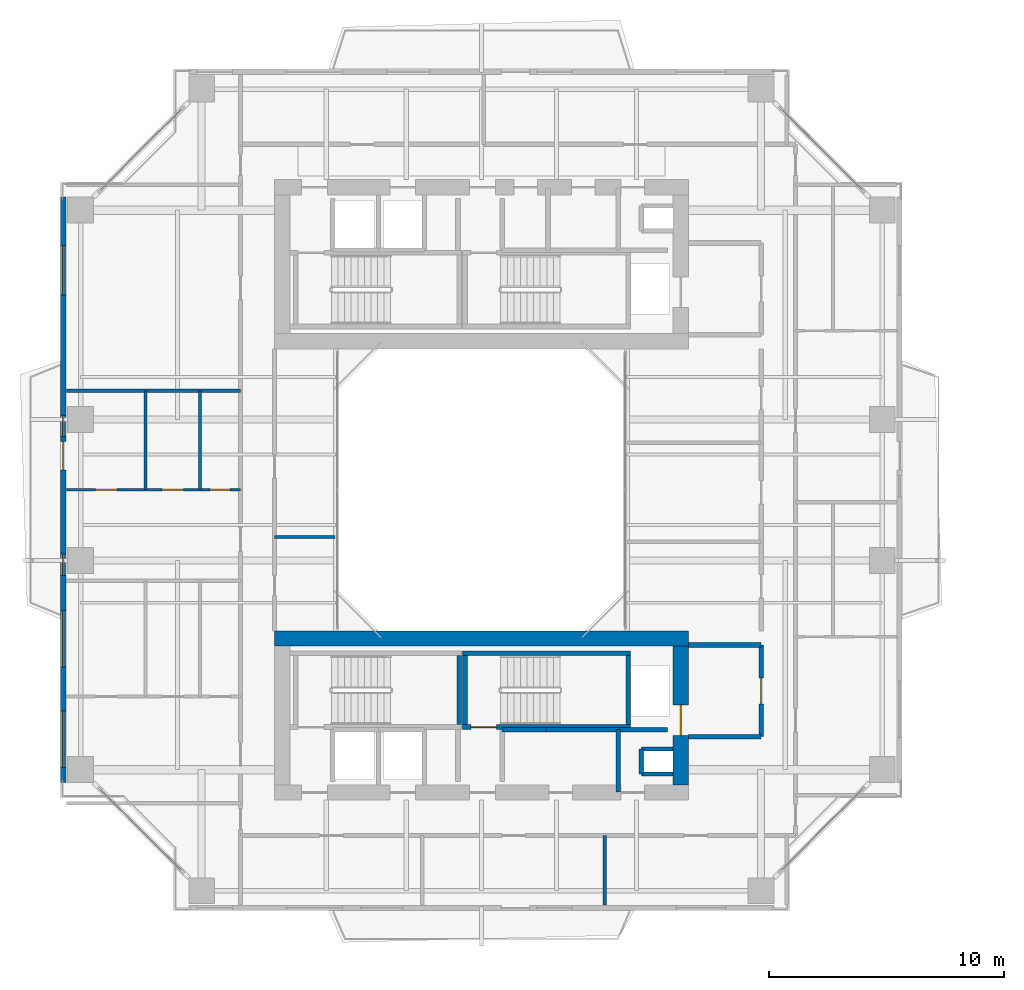
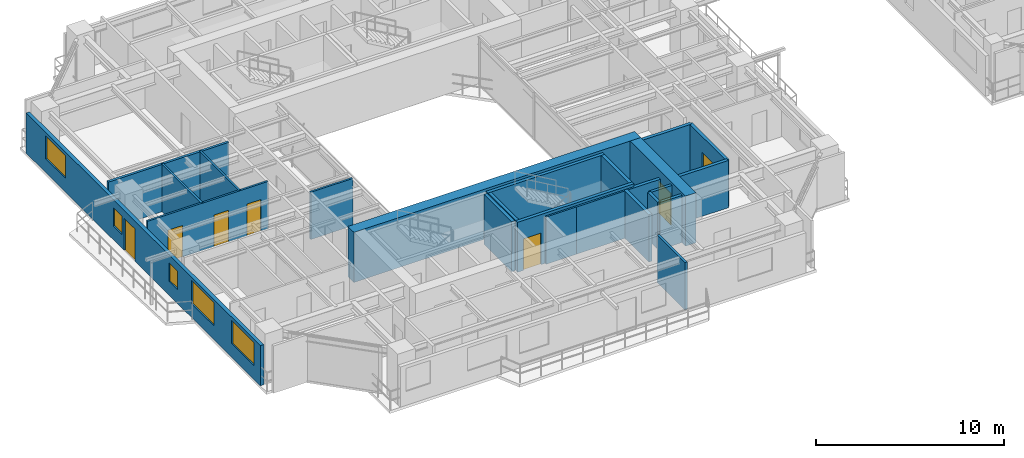
# One storey, part 15 of 24: 23 walls, 7 doors, 5 windows, 12 openings.
"""IFC4 building model written with IfcOpenShell, lengths in metres."""

from ifc_helpers import new_model, si_unit, direction, frame, frame_2d, origin, place, context, subcontext, project, spatial, rectangle, extrude, source, transform, mapped, material, layer, layer_set, type_object, element, fill, save


model = new_model("IFC4")

# Units and contexts
model_context = context("Model", 3, precision=1e-05, world=origin(), true_north=direction((0.0, 1.0)))
body_context = subcontext(model_context, "Body", "Model", "MODEL_VIEW")
ifc_project = project(units=[si_unit("LENGTHUNIT", "METRE"), si_unit("AREAUNIT", "SQUARE_METRE"), si_unit("VOLUMEUNIT", "CUBIC_METRE"), si_unit("PLANEANGLEUNIT", "RADIAN"), si_unit("MASSUNIT", "GRAM", prefix="KILO"), si_unit("THERMODYNAMICTEMPERATUREUNIT", "KELVIN"), si_unit("POWERUNIT", "WATT")], contexts=[model_context])

# Site, building, storey
site_placement = place(None, origin())
site = spatial("IfcSite", under=ifc_project, at=site_placement, CompositionType="ELEMENT")
building_placement = place(site_placement, origin())
building = spatial("IfcBuilding", under=site, at=building_placement, Name="Qiaomeng Ring Towers", CompositionType="ELEMENT")
storey_placement = place(building_placement, frame((0.0, 0.0, 106.75)))
storey = spatial("IfcBuildingStorey", under=building, at=storey_placement, Name="L30", CompositionType="ELEMENT", Elevation=106.75)

# Wall, openings, windows, door
ifc_material_1 = material(Name="Precast concrete C40", Category="concrete")
ifc_layer_1 = layer(ifc_material_1, 0.219970703125, Name="Precast concrete C40")
ifc_layer_set_1 = layer_set([ifc_layer_1], Name="Precast concrete C40")
wall_type_1 = type_object("IfcWallType", Name="ARC-WL-EW2", PredefinedType="STANDARD", material=ifc_layer_set_1)
wall_1_placement = place(storey_placement, frame((1.2099609375, 10.550048828125, 0.0), z_axis=(0.0, 0.0, 1.0), x_axis=(0.0, 1.0, 0.0)))
wall_1 = element("IfcWall", 1, at=wall_1_placement, inside=storey, type_object=wall_type_1, Name="L30 Tower 1 W Exterior Wall", PredefinedType="STANDARD", context=body_context, shape_type="SweptSolid", body=[
    extrude(rectangle(XDim=24.89990234375, YDim=0.219970703125, at=frame_2d((12.449951171875, 0.0))), origin(), (0.0, 0.0, 1.0), 2.610107421875),
])
opening_1_placement = place(wall_1_placement, frame((13.300048828125, 0.0, 0.0)))
opening_1 = element("IfcOpeningElement", 2, at=opening_1_placement, cuts=wall_1, Name="Opening BD1", PredefinedType="OPENING", context=body_context, shape_type="SweptSolid", body=[
    extrude(rectangle(XDim=1.199951171875, YDim=2.10009765625, at=frame_2d((0.60009765625, 1.050048828125))), frame((0.0, 0.119873046875, 0.0), z_axis=(0.0, -1.0, 0.0), x_axis=(1.0, 0.0, 0.0)), (0.0, 0.0, 1.0), 0.239990234375),
])
opening_2_placement = place(wall_1_placement, frame((0.64501953125, 0.0, 0.89990234375)))
opening_2 = element("IfcOpeningElement", 3, at=opening_2_placement, cuts=wall_1, Name="Opening WN6", PredefinedType="OPENING", context=body_context, shape_type="SweptSolid", body=[
    extrude(rectangle(XDim=2.39990234375, YDim=1.5, at=frame_2d((1.199951171875, 0.75))), frame((0.0, 0.119873046875, 0.0), z_axis=(0.0, -1.0, 0.0), x_axis=(1.0, 0.0, 0.0)), (0.0, 0.0, 1.0), 0.239990234375),
])
opening_3_placement = place(wall_1_placement, frame((20.737060546875, 0.0, 0.89990234375)))
opening_3 = element("IfcOpeningElement", 4, at=opening_3_placement, cuts=wall_1, Name="Opening WN4", PredefinedType="OPENING", context=body_context, shape_type="SweptSolid", body=[
    extrude(rectangle(XDim=2.10009765625, YDim=1.47998046875, at=frame_2d((1.050048828125, 0.739990234375))), frame((0.0, 0.119873046875, 0.0), z_axis=(0.0, -1.0, 0.0), x_axis=(1.0, 0.0, 0.0)), (0.0, 0.0, 1.0), 0.239990234375),
])
opening_4_placement = place(wall_1_placement, frame((4.91259765625, 0.0, 0.89990234375)))
opening_4 = element("IfcOpeningElement", 5, at=opening_4_placement, cuts=wall_1, Name="Opening WN6", PredefinedType="OPENING", context=body_context, shape_type="SweptSolid", body=[
    extrude(rectangle(XDim=2.39990234375, YDim=1.5, at=frame_2d((1.199951171875, 0.75))), frame((0.0, 0.119873046875, 0.0), z_axis=(0.0, -1.0, 0.0), x_axis=(1.0, 0.0, 0.0)), (0.0, 0.0, 1.0), 0.239990234375),
])
opening_5_placement = place(wall_1_placement, frame((14.719970703125, 0.0, 0.89990234375)))
opening_5 = element("IfcOpeningElement", 6, at=opening_5_placement, cuts=wall_1, Name="Opening WN5", PredefinedType="OPENING", context=body_context, shape_type="SweptSolid", body=[
    extrude(rectangle(XDim=0.89990234375, YDim=1.199951171875, at=frame_2d((0.449951171875, 0.60009765625))), frame((0.0, 0.119873046875, 0.0), z_axis=(0.0, -1.0, 0.0), x_axis=(1.0, 0.0, 0.0)), (0.0, 0.0, 1.0), 0.239990234375),
])
opening_6_placement = place(wall_1_placement, frame((8.81494140625, 0.0, 0.89990234375)))
opening_6 = element("IfcOpeningElement", 7, at=opening_6_placement, cuts=wall_1, Name="Opening WN5", PredefinedType="OPENING", context=body_context, shape_type="SweptSolid", body=[
    extrude(rectangle(XDim=0.89990234375, YDim=1.199951171875, at=frame_2d((0.449951171875, 0.60009765625))), frame((0.0, 0.119873046875, 0.0), z_axis=(0.0, -1.0, 0.0), x_axis=(1.0, 0.0, 0.0)), (0.0, 0.0, 1.0), 0.239990234375),
])
ifc_material_2 = material(Name="Low-E dark-grey laminated double glazing", Category="glass")
window_type_1 = type_object("IfcWindowType", Name="ARC-WN-4", PartitioningType="TRIPLE_PANEL_VERTICAL", PredefinedType="WINDOW", material=ifc_material_2)
shared_shape_1 = source(origin(), body_context, "Body", "SweptSolid", [
    extrude(rectangle(XDim=2.10009765625, YDim=1.47998046875, at=frame_2d((1.050048828125, 0.739990234375))), frame((0.0, 0.030029296875, 0.0), z_axis=(0.0, -1.0, 0.0), x_axis=(1.0, 0.0, 0.0)), (0.0, 0.0, 1.0), 0.06005859375),
])
window_1_placement = place(opening_3_placement, origin())
window_1 = element("IfcWindow", 8, at=window_1_placement, inside=storey, type_object=window_type_1, Name="L30 Exterior Window WN4", OverallHeight=1.47998046875, OverallWidth=2.10009765625, PartitioningType="TRIPLE_PANEL_VERTICAL", PredefinedType="WINDOW", context=body_context, shape_type="MappedRepresentation", body=[
    mapped(shared_shape_1, transform((0.0, 0.0, 0.0), x_axis=(1.0, 0.0, 0.0), y_axis=(0.0, 1.0, 0.0), z_axis=(0.0, 0.0, 1.0), scale=1.0)),
])
fill(opening_3, window_1)
door_type_1 = type_object("IfcDoorType", Name="ARC-DR-BD1", OperationType="NOTDEFINED", PredefinedType="DOOR", material=ifc_material_2)
shared_shape_2 = source(origin(), body_context, "Body", "SweptSolid", [
    extrude(rectangle(XDim=1.199951171875, YDim=2.10009765625, at=frame_2d((0.60009765625, 1.050048828125))), frame((0.0, 0.02490234375, 0.0), z_axis=(0.0, -1.0, 0.0), x_axis=(1.0, 0.0, 0.0)), (0.0, 0.0, 1.0), 0.050048828125),
])
door_1_placement = place(opening_1_placement, frame((1.199951171875, 0.0, 0.0), z_axis=(0.0, 0.0, 1.0), x_axis=(-1.0, 0.0, 0.0)))
door_1 = element("IfcDoor", 9, at=door_1_placement, inside=storey, type_object=door_type_1, Name="L30 W Balcony Glazed Door", OperationType="SINGLE_SWING_LEFT", OverallHeight=2.10009765625, OverallWidth=1.199951171875, PredefinedType="DOOR", context=body_context, shape_type="MappedRepresentation", body=[
    mapped(shared_shape_2, transform((0.0, 0.0, 0.0), x_axis=(1.0, 0.0, 0.0), y_axis=(0.0, 1.0, 0.0), z_axis=(0.0, 0.0, 1.0), scale=1.0)),
])
fill(opening_1, door_1)
window_type_2 = type_object("IfcWindowType", Name="ARC-WN-6", PartitioningType="TRIPLE_PANEL_VERTICAL", PredefinedType="WINDOW", material=ifc_material_2)
shared_shape_3 = source(origin(), body_context, "Body", "SweptSolid", [
    extrude(rectangle(XDim=2.39990234375, YDim=1.5, at=frame_2d((1.199951171875, 0.75))), frame((0.0, 0.030029296875, 0.0), z_axis=(0.0, -1.0, 0.0), x_axis=(1.0, 0.0, 0.0)), (0.0, 0.0, 1.0), 0.06005859375),
])
window_2_placement = place(opening_2_placement, origin())
window_2 = element("IfcWindow", 10, at=window_2_placement, inside=storey, type_object=window_type_2, Name="L30 Exterior Window WN6", OverallHeight=1.5, OverallWidth=2.39990234375, PartitioningType="TRIPLE_PANEL_VERTICAL", PredefinedType="WINDOW", context=body_context, shape_type="MappedRepresentation", body=[
    mapped(shared_shape_3, transform((0.0, 0.0, 0.0), x_axis=(1.0, 0.0, 0.0), y_axis=(0.0, 1.0, 0.0), z_axis=(0.0, 0.0, 1.0), scale=1.0)),
])
fill(opening_2, window_2)
window_3_placement = place(opening_4_placement, origin())
window_3 = element("IfcWindow", 11, at=window_3_placement, inside=storey, type_object=window_type_2, Name="L30 Exterior Window WN6", OverallHeight=1.5, OverallWidth=2.39990234375, PartitioningType="TRIPLE_PANEL_VERTICAL", PredefinedType="WINDOW", context=body_context, shape_type="MappedRepresentation", body=[
    mapped(shared_shape_3, transform((0.0, 0.0, 0.0), x_axis=(1.0, 0.0, 0.0), y_axis=(0.0, 1.0, 0.0), z_axis=(0.0, 0.0, 1.0), scale=1.0)),
])
fill(opening_4, window_3)
window_type_3 = type_object("IfcWindowType", Name="ARC-WN-5", PartitioningType="SINGLE_PANEL", PredefinedType="WINDOW", material=ifc_material_2)
shared_shape_4 = source(origin(), body_context, "Body", "SweptSolid", [
    extrude(rectangle(XDim=0.89990234375, YDim=1.199951171875, at=frame_2d((0.449951171875, 0.60009765625))), frame((0.0, 0.030029296875, 0.0), z_axis=(0.0, -1.0, 0.0), x_axis=(1.0, 0.0, 0.0)), (0.0, 0.0, 1.0), 0.06005859375),
])
window_4_placement = place(opening_5_placement, origin())
window_4 = element("IfcWindow", 12, at=window_4_placement, inside=storey, type_object=window_type_3, Name="L30 Exterior Window WN5", OverallHeight=1.199951171875, OverallWidth=0.89990234375, PartitioningType="SINGLE_PANEL", PredefinedType="WINDOW", context=body_context, shape_type="MappedRepresentation", body=[
    mapped(shared_shape_4, transform((0.0, 0.0, 0.0), x_axis=(1.0, 0.0, 0.0), y_axis=(0.0, 1.0, 0.0), z_axis=(0.0, 0.0, 1.0), scale=1.0)),
])
fill(opening_5, window_4)
window_5_placement = place(opening_6_placement, origin())
window_5 = element("IfcWindow", 13, at=window_5_placement, inside=storey, type_object=window_type_3, Name="L30 Exterior Window WN5", OverallHeight=1.199951171875, OverallWidth=0.89990234375, PartitioningType="SINGLE_PANEL", PredefinedType="WINDOW", context=body_context, shape_type="MappedRepresentation", body=[
    mapped(shared_shape_4, transform((0.0, 0.0, 0.0), x_axis=(1.0, 0.0, 0.0), y_axis=(0.0, 1.0, 0.0), z_axis=(0.0, 0.0, 1.0), scale=1.0)),
])
fill(opening_6, window_5)

# Walls
ifc_material_3 = material(Name="Autoclaved aerated concrete block", Category="concrete")
ifc_layer_2 = layer(ifc_material_3, 0.199951171875, Name="Autoclaved aerated concrete block")
ifc_layer_set_2 = layer_set([ifc_layer_2], Name="Autoclaved aerated concrete block")
wall_type_2 = type_object("IfcWallType", Name="ARC-WL-PW1", PredefinedType="PARTITIONING", material=ifc_layer_set_2)
for number, where, z_axis, x_axis, name in (
    (14, (27.800048828125, 16.39990234375, 0.0), (0.0, 0.0, 1.0), (1.0, 0.0, 0.0), "L30 Interior Wall PW1"),
    (15, (27.800048828125, 12.5, 0.0), (0.0, 0.0, 1.0), (1.0, 0.0, 0.0), "L30 Interior Wall PW1"),
):
    element("IfcWall", number, at=place(storey_placement, frame(where, z_axis=z_axis, x_axis=x_axis)), inside=storey, type_object=wall_type_2, Name=name, PredefinedType="PARTITIONING", context=body_context, shape_type="SweptSolid", body=[
        extrude(rectangle(XDim=3.099853515625, YDim=0.199951171875, at=frame_2d((1.5498046875, 0.0))), origin(), (0.0, 0.0, 1.0), 3.070068359375),
    ])

# Wall, opening, door
wall_2_placement = place(storey_placement, frame((30.89990234375, 12.5, 0.0), z_axis=(0.0, 0.0, 1.0), x_axis=(0.0, 1.0, 0.0)))
wall_2 = element("IfcWall", 16, at=wall_2_placement, inside=storey, type_object=wall_type_2, Name="L30 Interior Wall PW1", PredefinedType="PARTITIONING", context=body_context, shape_type="SweptSolid", body=[
    extrude(rectangle(XDim=3.89990234375, YDim=0.199951171875, at=frame_2d((1.949951171875, 0.0))), origin(), (0.0, 0.0, 1.0), 3.070068359375),
])
opening_7_placement = place(wall_2_placement, frame((1.39990234375, 0.0, 0.0)))
opening_7 = element("IfcOpeningElement", 17, at=opening_7_placement, cuts=wall_2, Name="Opening FD3", PredefinedType="OPENING", context=body_context, shape_type="SweptSolid", body=[
    extrude(rectangle(XDim=1.10009765625, YDim=2.050048828125, at=frame_2d((0.550048828125, 1.02490234375))), frame((0.0, 0.10986328125, 0.0), z_axis=(0.0, -1.0, 0.0), x_axis=(1.0, 0.0, 0.0)), (0.0, 0.0, 1.0), 0.219970703125),
])
ifc_material_4 = material(Name="Galvanised steel", Category="steel")
door_type_2 = type_object("IfcDoorType", Name="ARC-DR-FD3", OperationType="NOTDEFINED", PredefinedType="DOOR", material=ifc_material_4)
shared_shape_5 = source(origin(), body_context, "Body", "SweptSolid", [
    extrude(rectangle(XDim=1.10009765625, YDim=2.050048828125, at=frame_2d((0.550048828125, 1.02490234375))), frame((0.0, 0.02490234375, 0.0), z_axis=(0.0, -1.0, 0.0), x_axis=(1.0, 0.0, 0.0)), (0.0, 0.0, 1.0), 0.050048828125),
])
door_2_placement = place(opening_7_placement, origin())
door_2 = element("IfcDoor", 18, at=door_2_placement, inside=storey, type_object=door_type_2, Name="L30 South FF Lobby Door", OperationType="SINGLE_SWING_RIGHT", OverallHeight=2.050048828125, OverallWidth=1.10009765625, PredefinedType="DOOR", context=body_context, shape_type="MappedRepresentation", body=[
    mapped(shared_shape_5, transform((0.0, 0.0, 0.0), x_axis=(1.0, 0.0, 0.0), y_axis=(0.0, 1.0, 0.0), z_axis=(0.0, 0.0, 1.0), scale=1.0)),
])
fill(opening_7, door_2)

# Walls
wall_3_placement = place(storey_placement, frame((24.820068359375, 10.14990234375, 0.0), z_axis=(0.0, 0.0, 1.0), x_axis=(0.0, 1.0, 0.0)))
element("IfcWall", 19, at=wall_3_placement, inside=storey, type_object=wall_type_2, Name="L30 Interior Wall PW1", PredefinedType="PARTITIONING", context=body_context, shape_type="SweptSolid", body=[
    extrude(rectangle(XDim=2.650146484375, YDim=0.199951171875, at=frame_2d((1.3251953125, 0.0))), origin(), (0.0, 0.0, 1.0), 3.070068359375),
])
wall_4_placement = place(storey_placement, frame((19.8798828125, 12.800048828125, 0.0), z_axis=(0.0, 0.0, 1.0), x_axis=(1.0, 0.0, 0.0)))
element("IfcWall", 20, at=wall_4_placement, inside=storey, type_object=wall_type_2, Name="L30 Interior Wall PW1", PredefinedType="PARTITIONING", context=body_context, shape_type="SweptSolid", body=[
    extrude(rectangle(XDim=1.8701171875, YDim=0.199951171875, at=frame_2d((0.93505859375, 0.0))), origin(), (0.0, 0.0, 1.0), 3.070068359375),
])
wall_5_placement = place(storey_placement, frame((21.75, 12.800048828125, 0.0), z_axis=(0.0, 0.0, 1.0), x_axis=(1.0, 0.0, 0.0)))
element("IfcWall", 21, at=wall_5_placement, inside=storey, type_object=wall_type_2, Name="L30 Interior Wall PW1", PredefinedType="PARTITIONING", context=body_context, shape_type="SweptSolid", body=[
    extrude(rectangle(XDim=5.169921875, YDim=0.199951171875, at=frame_2d((2.5849609375, 0.0))), origin(), (0.0, 0.0, 1.0), 3.070068359375),
])
ifc_material_5 = material(Name="Gypsum fireboard steel-stud partition", Category="steel")
ifc_layer_3 = layer(ifc_material_5, 0.14990234375, Name="Gypsum fireboard steel-stud partition")
ifc_layer_set_3 = layer_set([ifc_layer_3], Name="Gypsum fireboard steel-stud partition")
wall_type_3 = type_object("IfcWallType", Name="ARC-WL-PW3", PredefinedType="PARTITIONING", material=ifc_layer_set_3)
wall_6_placement = place(storey_placement, frame((24.239990234375, 5.35009765625, 0.0), z_axis=(0.0, 0.0, 1.0), x_axis=(0.0, 1.0, 0.0)))
element("IfcWall", 22, at=wall_6_placement, inside=storey, type_object=wall_type_3, Name="L30 Interior Wall PW3", PredefinedType="PARTITIONING", context=body_context, shape_type="SweptSolid", body=[
    extrude(rectangle(XDim=2.949951171875, YDim=0.14990234375, at=frame_2d((1.47509765625, 0.0))), origin(), (0.0, 0.0, 1.0), 3.070068359375),
])
wall_7_placement = place(storey_placement, frame((1.35009765625, 27.2099609375, 0.0), z_axis=(0.0, 0.0, 1.0), x_axis=(1.0, 0.0, 0.0)))
element("IfcWall", 23, at=wall_7_placement, inside=storey, type_object=wall_type_3, Name="L30 Interior Wall PW3", PredefinedType="PARTITIONING", context=body_context, shape_type="SweptSolid", body=[
    extrude(rectangle(XDim=7.39990234375, YDim=0.14990234375, at=frame_2d((3.699951171875, 0.0))), origin(), (0.0, 0.0, 1.0), 3.070068359375),
])

# Wall, openings, doors
ifc_material_6 = material(Name="Moisture-resistant gypsum steel-stud partition", Category="steel")
ifc_layer_4 = layer(ifc_material_6, 0.1201171875, Name="Moisture-resistant gypsum steel-stud partition")
ifc_layer_set_4 = layer_set([ifc_layer_4], Name="Moisture-resistant gypsum steel-stud partition")
wall_type_4 = type_object("IfcWallType", Name="ARC-WL-PW4", PredefinedType="PLUMBINGWALL", material=ifc_layer_set_4)
wall_8_placement = place(storey_placement, frame((1.35009765625, 23.010009765625, 0.0), z_axis=(0.0, 0.0, 1.0), x_axis=(1.0, 0.0, 0.0)))
wall_8 = element("IfcWall", 24, at=wall_8_placement, inside=storey, type_object=wall_type_4, Name="L30 Interior Wall PW4", PredefinedType="PLUMBINGWALL", context=body_context, shape_type="SweptSolid", body=[
    extrude(rectangle(XDim=7.39990234375, YDim=0.1201171875, at=frame_2d((3.699951171875, 0.0))), origin(), (0.0, 0.0, 1.0), 3.070068359375),
])
opening_8_placement = place(wall_8_placement, frame((1.239990234375, 0.0, 0.0)))
opening_8 = element("IfcOpeningElement", 25, at=opening_8_placement, cuts=wall_8, Name="Opening ID1", PredefinedType="OPENING", context=body_context, shape_type="SweptSolid", body=[
    extrude(rectangle(XDim=0.89990234375, YDim=2.050048828125, at=frame_2d((0.449951171875, 1.02490234375))), frame((0.0, 0.070068359375, 0.0), z_axis=(0.0, -1.0, 0.0), x_axis=(1.0, 0.0, 0.0)), (0.0, 0.0, 1.0), 0.14013671875),
])
opening_9_placement = place(wall_8_placement, frame((4.070068359375, 0.0, 0.0)))
opening_9 = element("IfcOpeningElement", 26, at=opening_9_placement, cuts=wall_8, Name="Opening ID1", PredefinedType="OPENING", context=body_context, shape_type="SweptSolid", body=[
    extrude(rectangle(XDim=0.89990234375, YDim=2.050048828125, at=frame_2d((0.449951171875, 1.02490234375))), frame((0.0, 0.070068359375, 0.0), z_axis=(0.0, -1.0, 0.0), x_axis=(1.0, 0.0, 0.0)), (0.0, 0.0, 1.0), 0.14013671875),
])
opening_10_placement = place(wall_8_placement, frame((6.10498046875, 0.0, 0.0)))
opening_10 = element("IfcOpeningElement", 27, at=opening_10_placement, cuts=wall_8, Name="Opening ID2", PredefinedType="OPENING", context=body_context, shape_type="SweptSolid", body=[
    extrude(rectangle(XDim=0.85009765625, YDim=2.050048828125, at=frame_2d((0.425048828125, 1.02490234375))), frame((0.0, 0.070068359375, 0.0), z_axis=(0.0, -1.0, 0.0), x_axis=(1.0, 0.0, 0.0)), (0.0, 0.0, 1.0), 0.14013671875),
])
ifc_material_7 = material(Name="Moisture-resistant engineered timber", Category="wood")
door_type_3 = type_object("IfcDoorType", Name="ARC-DR-ID2", OperationType="NOTDEFINED", PredefinedType="DOOR", material=ifc_material_7)
shared_shape_6 = source(origin(), body_context, "Body", "SweptSolid", [
    extrude(rectangle(XDim=0.85009765625, YDim=2.050048828125, at=frame_2d((0.425048828125, 1.02490234375))), frame((0.0, 0.02490234375, 0.0), z_axis=(0.0, -1.0, 0.0), x_axis=(1.0, 0.0, 0.0)), (0.0, 0.0, 1.0), 0.050048828125),
])
door_3_placement = place(opening_10_placement, origin())
door_3 = element("IfcDoor", 28, at=door_3_placement, inside=storey, type_object=door_type_3, Name="L30 Door ID2", OperationType="SINGLE_SWING_LEFT", OverallHeight=2.050048828125, OverallWidth=0.85009765625, PredefinedType="DOOR", context=body_context, shape_type="MappedRepresentation", body=[
    mapped(shared_shape_6, transform((0.0, 0.0, 0.0), x_axis=(1.0, 0.0, 0.0), y_axis=(0.0, 1.0, 0.0), z_axis=(0.0, 0.0, 1.0), scale=1.0)),
])
fill(opening_10, door_3)
ifc_material_8 = material(Name="Engineered oak timber", Category="wood")
door_type_4 = type_object("IfcDoorType", Name="ARC-DR-ID1", OperationType="NOTDEFINED", PredefinedType="DOOR", material=ifc_material_8)
shared_shape_7 = source(origin(), body_context, "Body", "SweptSolid", [
    extrude(rectangle(XDim=0.89990234375, YDim=2.050048828125, at=frame_2d((0.449951171875, 1.02490234375))), frame((0.0, 0.02490234375, 0.0), z_axis=(0.0, -1.0, 0.0), x_axis=(1.0, 0.0, 0.0)), (0.0, 0.0, 1.0), 0.050048828125),
])
door_4_placement = place(opening_8_placement, origin())
door_4 = element("IfcDoor", 29, at=door_4_placement, inside=storey, type_object=door_type_4, Name="L30 Door ID1", OperationType="SINGLE_SWING_LEFT", OverallHeight=2.050048828125, OverallWidth=0.89990234375, PredefinedType="DOOR", context=body_context, shape_type="MappedRepresentation", body=[
    mapped(shared_shape_7, transform((0.0, 0.0, 0.0), x_axis=(1.0, 0.0, 0.0), y_axis=(0.0, 1.0, 0.0), z_axis=(0.0, 0.0, 1.0), scale=1.0)),
])
fill(opening_8, door_4)
door_5_placement = place(opening_9_placement, origin())
door_5 = element("IfcDoor", 30, at=door_5_placement, inside=storey, type_object=door_type_4, Name="L30 Door ID1", OperationType="SINGLE_SWING_RIGHT", OverallHeight=2.050048828125, OverallWidth=0.89990234375, PredefinedType="DOOR", context=body_context, shape_type="MappedRepresentation", body=[
    mapped(shared_shape_7, transform((0.0, 0.0, 0.0), x_axis=(1.0, 0.0, 0.0), y_axis=(0.0, 1.0, 0.0), z_axis=(0.0, 0.0, 1.0), scale=1.0)),
])
fill(opening_9, door_5)

# Walls
for number, where, z_axis, x_axis, name in (
    (31, (4.7099609375, 23.010009765625, 0.0), (0.0, 0.0, 1.0), (0.0, 1.0, 0.0), "L30 Interior Wall PW4"),
    (32, (7.030029296875, 23.010009765625, 0.0), (0.0, 0.0, 1.0), (0.0, 1.0, 0.0), "L30 Interior Wall PW4"),
):
    element("IfcWall", number, at=place(storey_placement, frame(where, z_axis=z_axis, x_axis=x_axis)), inside=storey, type_object=wall_type_4, Name=name, PredefinedType="PLUMBINGWALL", context=body_context, shape_type="SweptSolid", body=[
        extrude(rectangle(XDim=4.199951171875, YDim=0.1201171875, at=frame_2d((2.10009765625, 0.0))), origin(), (0.0, 0.0, 1.0), 3.070068359375),
    ])
wall_9_placement = place(storey_placement, frame((10.199951171875, 21.0, 0.0), z_axis=(0.0, 0.0, 1.0), x_axis=(1.0, 0.0, 0.0)))
element("IfcWall", 33, at=wall_9_placement, inside=storey, type_object=wall_type_4, Name="L30 Interior Wall PW4", PredefinedType="PLUMBINGWALL", context=body_context, shape_type="SweptSolid", body=[
    extrude(rectangle(XDim=2.580078125, YDim=0.1201171875, at=frame_2d((1.2900390625, 0.0))), origin(), (0.0, 0.0, 1.0), 3.070068359375),
])
ifc_material_9 = material(Name="Concrete C40", Category="concrete")
ifc_layer_5 = layer(ifc_material_9, 0.199951171875, Name="Concrete C40")
ifc_layer_set_5 = layer_set([ifc_layer_5], Name="Concrete C40")
wall_type_5 = type_object("IfcWallType", Name="STR-WL-STSHAFT", PredefinedType="SHEAR", material=ifc_layer_set_5)
wall_10_placement = place(storey_placement, frame((25.800048828125, 10.919921875, 0.0), z_axis=(0.0, 0.0, 1.0), x_axis=(0.0, 1.0, 0.0)))
element("IfcWall", 34, at=wall_10_placement, inside=storey, type_object=wall_type_5, Name="L30 Riser RSR1 West Shaft Wall S", PredefinedType="SHEAR", context=body_context, shape_type="SweptSolid", body=[
    extrude(rectangle(XDim=1.06005859375, YDim=0.179931640625, at=frame_2d((0.530029296875, 0.0))), origin(), (0.0, 0.0, 1.0), 3.070068359375),
])
for number, where, z_axis, x_axis, name in (
    (35, (25.800048828125, 11.97998046875, 0.0), (0.0, 0.0, 1.0), (1.0, 0.0, 0.0), "L30 Riser RSR1 North Shaft Wall S"),
    (36, (25.800048828125, 10.919921875, 0.0), (0.0, 0.0, 1.0), (1.0, 0.0, 0.0), "L30 Riser RSR1 South Shaft Wall S"),
):
    element("IfcWall", number, at=place(storey_placement, frame(where, z_axis=z_axis, x_axis=x_axis)), inside=storey, type_object=wall_type_5, Name=name, PredefinedType="SHEAR", context=body_context, shape_type="SweptSolid", body=[
        extrude(rectangle(XDim=1.349853515625, YDim=0.179931640625, at=frame_2d((0.6748046875, 0.0))), origin(), (0.0, 0.0, 1.0), 3.070068359375),
    ])
wall_11_placement = place(storey_placement, frame((18.050048828125, 13.010009765625, 0.0), z_axis=(0.0, 0.0, 1.0), x_axis=(0.0, 1.0, 0.0)))
element("IfcWall", 37, at=wall_11_placement, inside=storey, type_object=wall_type_5, Name="L30 Stair ST3 East Shaft Shear Wall", PredefinedType="SHEAR", context=body_context, shape_type="SweptSolid", body=[
    extrude(rectangle(XDim=2.93994140625, YDim=0.199951171875, at=frame_2d((1.469970703125, 0.0))), origin(), (0.0, 0.0, 1.0), 3.25),
])

# Wall, opening, door
wall_12_placement = place(storey_placement, frame((18.199951171875, 12.909912109375, 0.0), z_axis=(0.0, 0.0, 1.0), x_axis=(1.0, 0.0, 0.0)))
wall_12 = element("IfcWall", 38, at=wall_12_placement, inside=storey, type_object=wall_type_5, Name="L30 Stair ST4 South Shaft Shear Wall", PredefinedType="SHEAR", context=body_context, shape_type="SweptSolid", body=[
    extrude(rectangle(XDim=7.150146484375, YDim=0.199951171875, at=frame_2d((3.5751953125, 0.0))), origin(), (0.0, 0.0, 1.0), 3.25),
])
opening_11_placement = place(wall_12_placement, frame((0.35009765625, 0.0, 0.0)))
opening_11 = element("IfcOpeningElement", 39, at=opening_11_placement, cuts=wall_12, Name="Opening FD3", PredefinedType="OPENING", context=body_context, shape_type="SweptSolid", body=[
    extrude(rectangle(XDim=1.10009765625, YDim=2.050048828125, at=frame_2d((0.550048828125, 1.02490234375))), frame((0.0, 0.10986328125, 0.0), z_axis=(0.0, -1.0, 0.0), x_axis=(1.0, 0.0, 0.0)), (0.0, 0.0, 1.0), 0.219970703125),
])
door_6_placement = place(opening_11_placement, frame((1.10009765625, 0.0, 0.0), z_axis=(0.0, 0.0, 1.0), x_axis=(-1.0, 0.0, 0.0)))
door_6 = element("IfcDoor", 40, at=door_6_placement, inside=storey, type_object=door_type_2, Name="L30 Stair ST4 Exit Door", OperationType="SINGLE_SWING_RIGHT", OverallHeight=2.050048828125, OverallWidth=1.10009765625, PredefinedType="DOOR", context=body_context, shape_type="MappedRepresentation", body=[
    mapped(shared_shape_5, transform((0.0, 0.0, 0.0), x_axis=(1.0, 0.0, 0.0), y_axis=(0.0, 1.0, 0.0), z_axis=(0.0, 0.0, 1.0), scale=1.0)),
])
fill(opening_11, door_6)

# Walls
wall_13_placement = place(storey_placement, frame((18.199951171875, 16.050048828125, 0.0), z_axis=(0.0, 0.0, 1.0), x_axis=(1.0, 0.0, 0.0)))
element("IfcWall", 41, at=wall_13_placement, inside=storey, type_object=wall_type_5, Name="L30 Stair ST4 North Shaft Shear Wall", PredefinedType="SHEAR", context=body_context, shape_type="SweptSolid", body=[
    extrude(rectangle(XDim=7.150146484375, YDim=0.199951171875, at=frame_2d((3.5751953125, 0.0))), origin(), (0.0, 0.0, 1.0), 3.25),
])
for number, where, z_axis, x_axis, name in (
    (42, (18.300048828125, 13.010009765625, 0.0), (0.0, 0.0, 1.0), (0.0, 1.0, 0.0), "L30 Stair ST4 West Shaft Shear Wall"),
    (43, (25.25, 13.010009765625, 0.0), (0.0, 0.0, 1.0), (0.0, 1.0, 0.0), "L30 Stair ST4 East Shaft Shear Wall"),
):
    element("IfcWall", number, at=place(storey_placement, frame(where, z_axis=z_axis, x_axis=x_axis)), inside=storey, type_object=wall_type_5, Name=name, PredefinedType="SHEAR", context=body_context, shape_type="SweptSolid", body=[
        extrude(rectangle(XDim=2.93994140625, YDim=0.199951171875, at=frame_2d((1.469970703125, 0.0))), origin(), (0.0, 0.0, 1.0), 3.25),
    ])
ifc_material_10 = material(Name="Concrete C55", Category="concrete")
ifc_layer_6 = layer(ifc_material_10, 0.64990234375, Name="Concrete C55")
ifc_layer_set_6 = layer_set([ifc_layer_6], Name="Concrete C55")
wall_type_6 = type_object("IfcWallType", Name="STR-WL-SW2A", PredefinedType="SHEAR", material=ifc_layer_set_6)
wall_14_placement = place(storey_placement, frame((10.199951171875, 16.675048828125, 0.0), z_axis=(0.0, 0.0, 1.0), x_axis=(1.0, 0.0, 0.0)))
element("IfcWall", 44, at=wall_14_placement, inside=storey, type_object=wall_type_6, Name="L30 T1SC north core shear wall", PredefinedType="SHEAR", context=body_context, shape_type="SweptSolid", body=[
    extrude(rectangle(XDim=17.60009765625, YDim=0.64990234375, at=frame_2d((8.800048828125, 0.0))), origin(), (0.0, 0.0, 1.0), 3.25),
])

# Wall, opening, door
wall_15_placement = place(storey_placement, frame((27.47509765625, 10.449951171875, 0.0), z_axis=(0.0, 0.0, 1.0), x_axis=(0.0, 1.0, 0.0)))
wall_15 = element("IfcWall", 45, at=wall_15_placement, inside=storey, type_object=wall_type_6, Name="L30 T1SC east core shear wall", PredefinedType="SHEAR", context=body_context, shape_type="SweptSolid", body=[
    extrude(rectangle(XDim=5.900146484375, YDim=0.64990234375, at=frame_2d((2.9501953125, 0.0))), origin(), (0.0, 0.0, 1.0), 3.25),
])
opening_12_placement = place(wall_15_placement, frame((2.10009765625, 0.0, 0.0)))
opening_12 = element("IfcOpeningElement", 46, at=opening_12_placement, cuts=wall_15, Name="Opening LD2", PredefinedType="OPENING", context=body_context, shape_type="SweptSolid", body=[
    extrude(rectangle(XDim=1.300048828125, YDim=2.050048828125, at=frame_2d((0.64990234375, 1.02490234375))), frame((0.0, 0.3349609375, 0.0), z_axis=(0.0, -1.0, 0.0), x_axis=(1.0, 0.0, 0.0)), (0.0, 0.0, 1.0), 0.669921875),
])
ifc_material_11 = material(Name="Stainless steel 316", Category="steel")
door_type_5 = type_object("IfcDoorType", Name="ARC-DR-LD2", OperationType="NOTDEFINED", PredefinedType="DOOR", material=ifc_material_11)
shared_shape_8 = source(origin(), body_context, "Body", "SweptSolid", [
    extrude(rectangle(XDim=1.300048828125, YDim=2.050048828125, at=frame_2d((0.64990234375, 1.02490234375))), frame((0.0, 0.02490234375, 0.0), z_axis=(0.0, -1.0, 0.0), x_axis=(1.0, 0.0, 0.0)), (0.0, 0.0, 1.0), 0.050048828125),
])
door_7_placement = place(opening_12_placement, origin())
door_7 = element("IfcDoor", 47, at=door_7_placement, inside=storey, type_object=door_type_5, Name="L30 Firefighting Lift FL2 Landing Door", OperationType="SLIDING_TO_RIGHT", OverallHeight=2.050048828125, OverallWidth=1.300048828125, PredefinedType="DOOR", context=body_context, shape_type="MappedRepresentation", body=[
    mapped(shared_shape_8, transform((0.0, 0.0, 0.0), x_axis=(1.0, 0.0, 0.0), y_axis=(0.0, 1.0, 0.0), z_axis=(0.0, 0.0, 1.0), scale=1.0)),
])
fill(opening_12, door_7)

save(model, "model.ifc")
